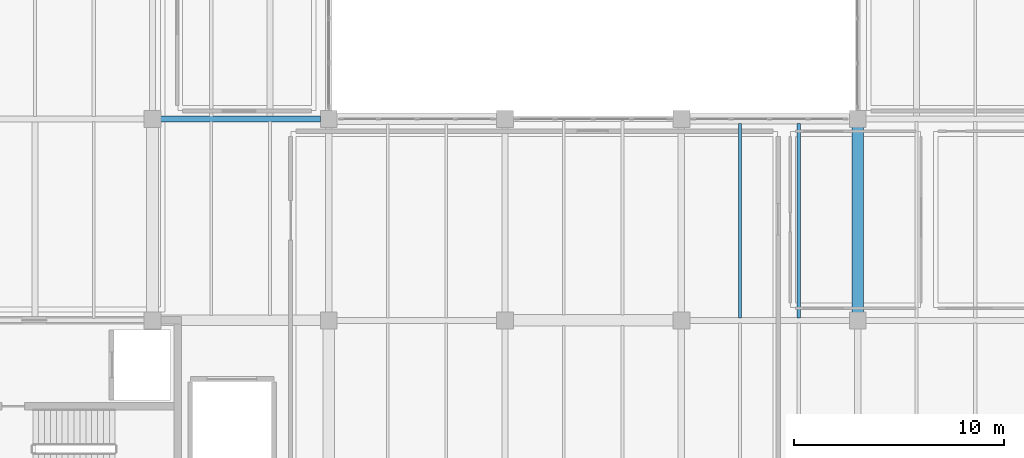
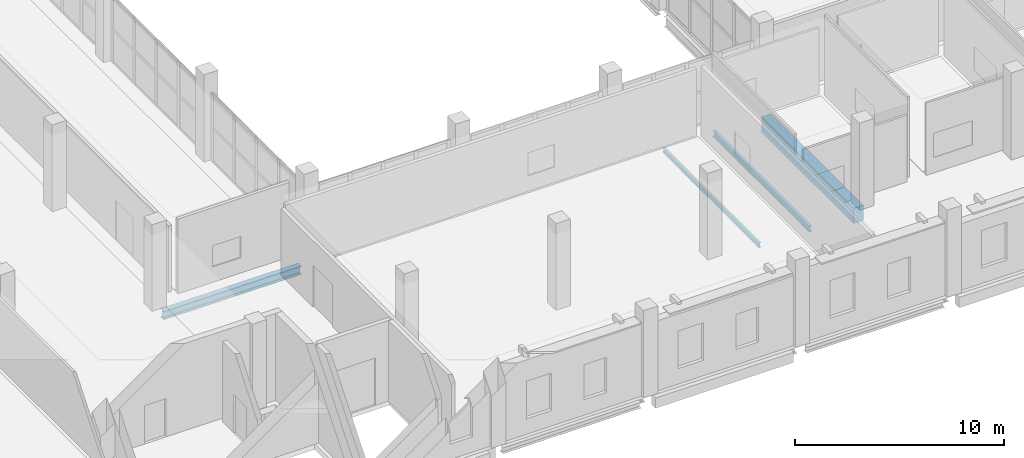
# One storey, part 36 of 73: 4 beams.
"""IFC4 building model written with IfcOpenShell, lengths in metres."""

from ifc_helpers import new_model, si_unit, direction, frame, origin, origin_2d, place, context, subcontext, project, spatial, rectangle, i_section, extrude, material, material_profile, profile_set, type_object, element, save


model = new_model("IFC4")

# Units and contexts
model_context = context("Model", 3, precision=1e-05, world=origin(), true_north=direction((0.0, 1.0)))
body_context = subcontext(model_context, "Body", "Model", "MODEL_VIEW")
ifc_project = project(units=[si_unit("LENGTHUNIT", "METRE"), si_unit("AREAUNIT", "SQUARE_METRE"), si_unit("VOLUMEUNIT", "CUBIC_METRE"), si_unit("PLANEANGLEUNIT", "RADIAN"), si_unit("MASSUNIT", "GRAM", prefix="KILO")], contexts=[model_context])

# Site, building, storey
site_placement = place(None, origin())
site = spatial("IfcSite", under=ifc_project, at=site_placement, CompositionType="ELEMENT")
building_placement = place(site_placement, origin())
building = spatial("IfcBuilding", under=site, at=building_placement, Name="Zulmaris Art Gallery", CompositionType="ELEMENT")
storey_placement = place(building_placement, frame((0.0, 0.0, 10.5)))
storey = spatial("IfcBuildingStorey", under=building, at=storey_placement, Name="L02", CompositionType="ELEMENT", Elevation=10.5)

# Beams
ifc_material_1 = material(Name="Steel S355J2", Category="steel")
ifc_material_profile_1 = material_profile(ifc_material_1, i_section(OverallWidth=0.300048828125, OverallDepth=0.5, WebThickness=0.014404296875, FlangeThickness=0.028076171875, FilletRadius=0.027099609375, at=origin_2d()), Name="HEB 500")
ifc_profile_set_1 = profile_set([ifc_material_profile_1], Name="Steel S355J2")
beam_type_1 = type_object("IfcBeamType", Name="BEAM-BM14", PredefinedType="BEAM", material=ifc_profile_set_1)
beam_1_placement = place(storey_placement, frame((150.385009765625, 31.199951171875, -0.64990234375), z_axis=(1.0, 0.0, 0.0), x_axis=(0.0, 1.0, 0.0)))
element("IfcBeam", 1, at=beam_1_placement, inside=storey, type_object=beam_type_1, Name="L02 X-girder (150.0..158.4, y=31.2)", PredefinedType="BEAM", context=body_context, shape_type="SweptSolid", body=[
    extrude(i_section(OverallWidth=0.300048828125, OverallDepth=0.5, WebThickness=0.014404296875, FlangeThickness=0.028076171875, FilletRadius=0.027099609375, at=origin_2d()), origin(), (0.0, 0.0, 1.0), 7.6298828125),
])
ifc_material_2 = material(Name="Concrete C40/50", Category="concrete")
ifc_material_profile_2 = material_profile(ifc_material_2, rectangle(XDim=0.550048828125, YDim=0.89990234375, at=origin_2d()), Name="RC 550x900")
ifc_profile_set_2 = profile_set([ifc_material_profile_2], Name="Concrete C40/50")
beam_type_2 = type_object("IfcBeamType", Name="BEAM-BM21", PredefinedType="BEAM", material=ifc_profile_set_2)
beam_2_placement = place(storey_placement, frame((183.60009765625, 21.985107421875, -0.85009765625), z_axis=(0.0, 1.0, 0.0), x_axis=(-1.0, 0.0, 0.0)))
element("IfcBeam", 2, at=beam_2_placement, inside=storey, type_object=beam_type_2, Name="L02 Y-girder (x=183.6, 21.6..31.2)", PredefinedType="BEAM", context=body_context, shape_type="SweptSolid", body=[
    extrude(rectangle(XDim=0.550048828125, YDim=0.89990234375, at=origin_2d()), origin(), (0.0, 0.0, 1.0), 8.829833984375),
])
ifc_material_profile_3 = material_profile(ifc_material_1, i_section(OverallWidth=0.135009765625, OverallDepth=0.27001953125, WebThickness=0.006591796875, FlangeThickness=0.01025390625, FilletRadius=0.014892578125, at=origin_2d()), Name="IPE 270")
ifc_profile_set_3 = profile_set([ifc_material_profile_3], Name="Steel S355J2")
beam_type_3 = type_object("IfcBeamType", Name="BEAM-JS02", PredefinedType="JOIST", material=ifc_profile_set_3)
beam_3_placement = place(storey_placement, frame((178.0, 21.72509765625, -0.534912109375), z_axis=(0.0, 1.0, 0.0), x_axis=(-1.0, 0.0, 0.0)))
element("IfcBeam", 3, at=beam_3_placement, inside=storey, type_object=beam_type_3, Name="L02 secondary joist at x=178.0", PredefinedType="JOIST", context=body_context, shape_type="SweptSolid", body=[
    extrude(i_section(OverallWidth=0.135009765625, OverallDepth=0.27001953125, WebThickness=0.006591796875, FlangeThickness=0.01025390625, FilletRadius=0.014892578125, at=origin_2d()), origin(), (0.0, 0.0, 1.0), 9.25),
])
ifc_material_profile_4 = material_profile(ifc_material_1, i_section(OverallWidth=0.159912109375, OverallDepth=0.330078125, WebThickness=0.007568359375, FlangeThickness=0.011474609375, FilletRadius=0.01806640625, at=origin_2d()), Name="IPE 330")
ifc_profile_set_4 = profile_set([ifc_material_profile_4], Name="Steel S355J2")
beam_type_4 = type_object("IfcBeamType", Name="BEAM-JS03", PredefinedType="JOIST", material=ifc_profile_set_4)
beam_4_placement = place(storey_placement, frame((180.800048828125, 21.72509765625, -0.56494140625), z_axis=(0.0, 1.0, 0.0), x_axis=(-1.0, 0.0, 0.0)))
element("IfcBeam", 4, at=beam_4_placement, inside=storey, type_object=beam_type_4, Name="L02 secondary joist at x=180.8", PredefinedType="JOIST", context=body_context, shape_type="SweptSolid", body=[
    extrude(i_section(OverallWidth=0.159912109375, OverallDepth=0.330078125, WebThickness=0.007568359375, FlangeThickness=0.011474609375, FilletRadius=0.01806640625, at=origin_2d()), origin(), (0.0, 0.0, 1.0), 9.25),
])

save(model, "model.ifc")
